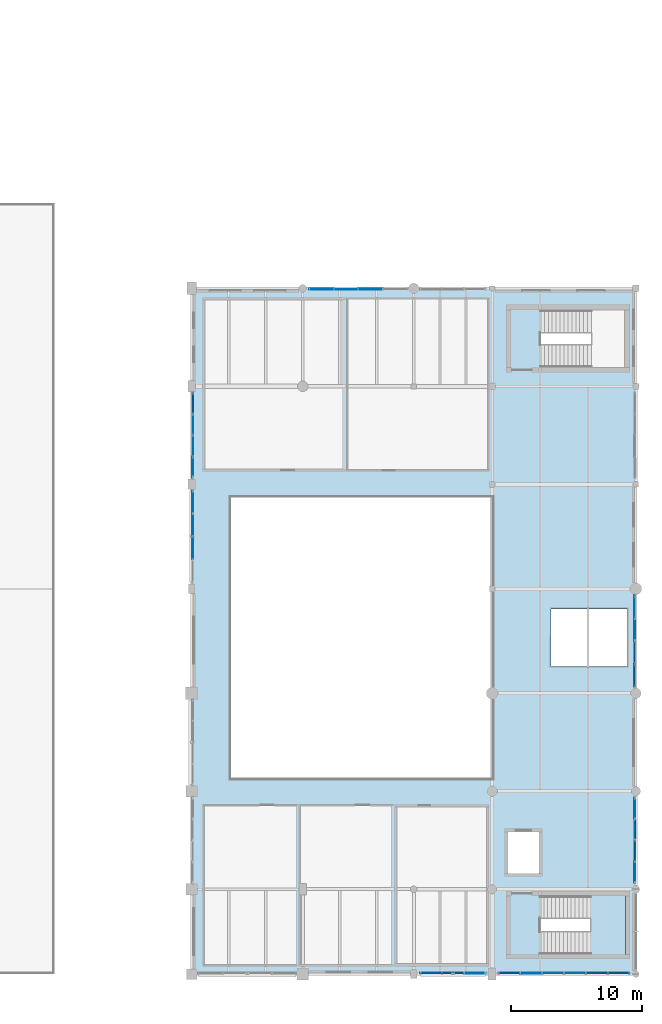
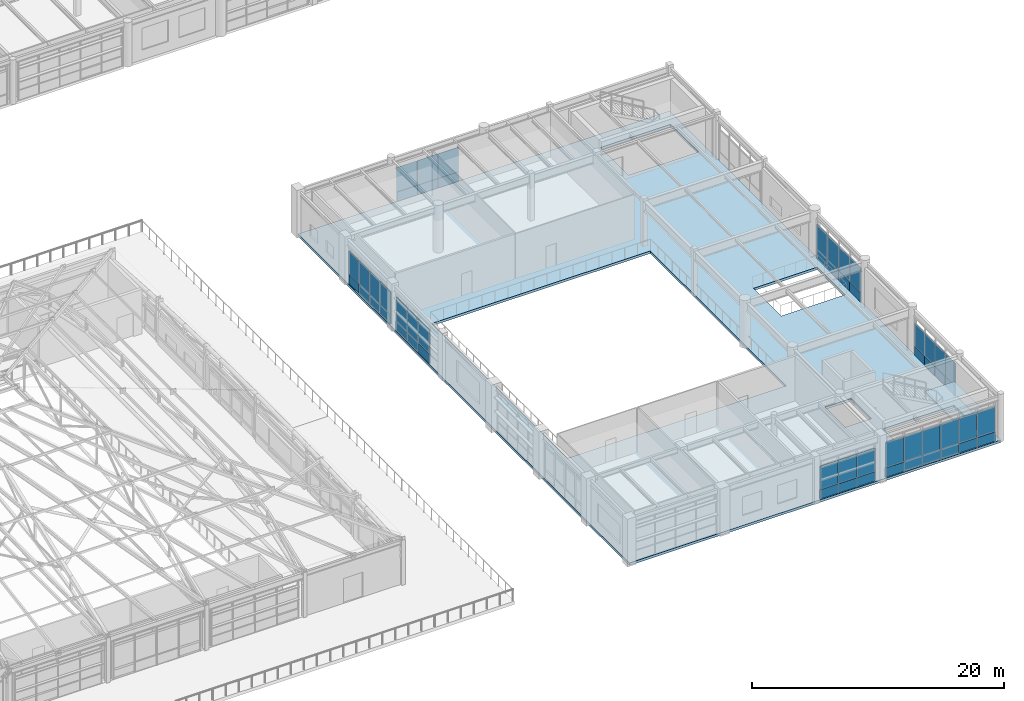
# One storey, part 137 of 168: 54 plates, 2 slabs, 8 elements without a shape of their own.
"""IFC4 building model written with IfcOpenShell, lengths in metres."""

from ifc_helpers import new_model, si_unit, direction, frame, origin, origin_2d, place, context, subcontext, project, spatial, polyline, rectangle, outline, extrude, material, layer, layer_set, type_object, element, aggregate, save


model = new_model("IFC4")

# Units and contexts
model_context = context("Model", 3, precision=1e-05, world=origin(), true_north=direction((0.0, 1.0)))
body_context = subcontext(model_context, "Body", "Model", "MODEL_VIEW")
ifc_project = project(units=[si_unit("LENGTHUNIT", "METRE"), si_unit("AREAUNIT", "SQUARE_METRE"), si_unit("VOLUMEUNIT", "CUBIC_METRE"), si_unit("PLANEANGLEUNIT", "RADIAN"), si_unit("MASSUNIT", "GRAM", prefix="KILO"), si_unit("THERMODYNAMICTEMPERATUREUNIT", "KELVIN"), si_unit("POWERUNIT", "WATT")], contexts=[model_context])

# Site, building, storey
site_placement = place(None, origin())
site = spatial("IfcSite", under=ifc_project, at=site_placement, CompositionType="ELEMENT")
building_placement = place(site_placement, origin())
building = spatial("IfcBuilding", under=site, at=building_placement, Name="Tepalcoro Natatorium and Aquatics Centre", CompositionType="ELEMENT")
storey_placement = place(building_placement, frame((0.0, 0.0, 10.199951171875)))
storey = spatial("IfcBuildingStorey", under=building, at=storey_placement, Name="L02", CompositionType="ELEMENT", Elevation=10.199951171875)

# Curtain wall, plate
ifc_material_1 = material(Name="Bronze-Anodised Extruded Aluminium Alloy EN AW-6063 T6", Category="aluminium")
curtain_wall_type_1 = type_object("IfcCurtainWallType", Name="CW_V4_VILLAGE", PredefinedType="USERDEFINED", material=ifc_material_1)
curtain_wall_1_placement = place(storey_placement, origin())
curtain_wall_1 = element("IfcCurtainWall", 1, at=curtain_wall_1_placement, inside=storey, type_object=curtain_wall_type_1, Name="V2 L02 S Unitised Curtain Wall Bay 3", ObjectType="UNITISED STOREFRONT", PredefinedType="USERDEFINED")
ifc_material_2 = material(Name="Solar-Control Bronze Tempered Low-E Double Glazing", Category="glass")
ifc_layer_1 = layer(ifc_material_2, 0.048095703125)
ifc_layer_set_1 = layer_set([ifc_layer_1], Name="Solar-Control Bronze Tempered Low-E Double Glazing")
plate_type_1 = type_object("IfcPlateType", Name="PL_ACOUSTIC_IGU_48", PredefinedType="CURTAIN_PANEL", material=ifc_layer_set_1)
plate_1_placement = place(storey_placement, frame((162.0, 6.576171875, 0.944580078125), z_axis=(0.0, 0.0, 1.0), x_axis=(1.0, 0.0, 0.0)))
plate_1 = element("IfcPlate", 2, at=plate_1_placement, type_object=plate_type_1, Name="CW_V4_VILLAGE Insulated Glazing Unit", PredefinedType="CURTAIN_PANEL", context=body_context, shape_type="SweptSolid", body=[
    extrude(rectangle(XDim=1.659912109375, YDim=0.048095703125, at=origin_2d()), origin(), (0.0, 0.0, 1.0), 2.2333984375),
])

# Curtain wall, plates
curtain_wall_type_2 = type_object("IfcCurtainWallType", Name="CW_V5_LOWER", PredefinedType="USERDEFINED", material=ifc_material_1)
curtain_wall_2_placement = place(storey_placement, origin())
curtain_wall_2 = element("IfcCurtainWall", 3, at=curtain_wall_2_placement, inside=storey, type_object=curtain_wall_type_2, Name="V2 L02 S Unitised Curtain Wall Bay 4", ObjectType="UNITISED STOREFRONT", PredefinedType="USERDEFINED")
plate_2_placement = place(storey_placement, frame((166.316650390625, 6.580078125, 0.9599609375), z_axis=(0.0, 0.0, 1.0), x_axis=(1.0, 0.0, 0.0)))
plate_2 = element("IfcPlate", 4, at=plate_2_placement, type_object=plate_type_1, Name="CW_V5_LOWER Insulated Glazing Unit", PredefinedType="CURTAIN_PANEL", context=body_context, shape_type="SweptSolid", body=[
    extrude(rectangle(XDim=1.6533203125, YDim=0.048095703125, at=origin_2d()), origin(), (0.0, 0.0, 1.0), 2.4169921875),
])
plate_3_placement = place(storey_placement, frame((171.336669921875, 6.580078125, 0.9599609375), z_axis=(0.0, 0.0, 1.0), x_axis=(1.0, 0.0, 0.0)))
plate_3 = element("IfcPlate", 5, at=plate_3_placement, type_object=plate_type_1, Name="CW_V5_LOWER Insulated Glazing Unit", PredefinedType="CURTAIN_PANEL", context=body_context, shape_type="SweptSolid", body=[
    extrude(rectangle(XDim=1.6533203125, YDim=0.048095703125, at=origin_2d()), origin(), (0.0, 0.0, 1.0), 2.4169921875),
])

# Curtain wall, plate
curtain_wall_type_3 = type_object("IfcCurtainWallType", Name="CW_LEAN_T1_EW", PredefinedType="USERDEFINED", material=ifc_material_1)
curtain_wall_3_placement = place(storey_placement, origin())
curtain_wall_3 = element("IfcCurtainWall", 6, at=curtain_wall_3_placement, inside=storey, type_object=curtain_wall_type_3, Name="V2 L02 N Unitised Curtain Wall Bay 2", ObjectType="FACETED SOLAR GLAZING", PredefinedType="USERDEFINED")
plate_4_placement = place(storey_placement, frame((155.6923828125, 58.9287109375, 0.9599609375), z_axis=(0.0, 0.0, 1.0), x_axis=(1.0, 0.0, 0.0)))
plate_4 = element("IfcPlate", 7, at=plate_4_placement, type_object=plate_type_1, Name="CW_LEAN_T1_EW Insulated Glazing Unit", PredefinedType="CURTAIN_PANEL", context=body_context, shape_type="SweptSolid", body=[
    extrude(rectangle(XDim=1.864990234375, YDim=0.048095703125, at=origin_2d()), origin(), (0.0, 0.0, 1.0), 2.3701171875),
])

curtain_wall_type_4 = type_object("IfcCurtainWallType", Name="CW_LEAN_T2_EW", PredefinedType="USERDEFINED", material=ifc_material_1)
curtain_wall_4_placement = place(storey_placement, origin())
curtain_wall_4 = element("IfcCurtainWall", 8, at=curtain_wall_4_placement, inside=storey, type_object=curtain_wall_type_4, Name="V2 L02 W Unitised Curtain Wall Bay 5", ObjectType="FACETED SOLAR GLAZING", PredefinedType="USERDEFINED")
plate_5_placement = place(storey_placement, frame((142.0712890625, 39.1201171875, 0.9599609375), z_axis=(0.0, 0.0, 1.0), x_axis=(1.0, 0.0, 0.0)))
plate_5 = element("IfcPlate", 9, at=plate_5_placement, type_object=plate_type_1, Name="CW_LEAN_T2_EW Insulated Glazing Unit", PredefinedType="CURTAIN_PANEL", context=body_context, shape_type="SweptSolid", body=[
    extrude(rectangle(XDim=0.048095703125, YDim=1.739990234375, at=origin_2d()), origin(), (0.0, 0.0, 1.0), 2.2939453125),
])

# Curtain wall, plates
curtain_wall_type_5 = type_object("IfcCurtainWallType", Name="CW_V1_PLINTH", PredefinedType="USERDEFINED", material=ifc_material_1)
curtain_wall_5_placement = place(storey_placement, origin())
curtain_wall_5 = element("IfcCurtainWall", 10, at=curtain_wall_5_placement, inside=storey, type_object=curtain_wall_type_5, Name="V2 L02 W Unitised Curtain Wall Bay 6", ObjectType="UNITISED STOREFRONT", PredefinedType="USERDEFINED")
plate_6_placement = place(storey_placement, frame((142.090087890625, 45.297607421875, 0.944580078125), z_axis=(0.0, 0.0, 1.0), x_axis=(1.0, 0.0, 0.0)))
plate_6 = element("IfcPlate", 11, at=plate_6_placement, type_object=plate_type_1, Name="CW_V1_PLINTH Insulated Glazing Unit", PredefinedType="CURTAIN_PANEL", context=body_context, shape_type="SweptSolid", body=[
    extrude(rectangle(XDim=0.048095703125, YDim=1.614990234375, at=origin_2d()), origin(), (0.0, 0.0, 1.0), 2.2333984375),
])
plate_7_placement = place(storey_placement, frame((142.090087890625, 50.202392578125, 0.944580078125), z_axis=(0.0, 0.0, 1.0), x_axis=(1.0, 0.0, 0.0)))
plate_7 = element("IfcPlate", 12, at=plate_7_placement, type_object=plate_type_1, Name="CW_V1_PLINTH Insulated Glazing Unit", PredefinedType="CURTAIN_PANEL", context=body_context, shape_type="SweptSolid", body=[
    extrude(rectangle(XDim=0.048095703125, YDim=1.614990234375, at=origin_2d()), origin(), (0.0, 0.0, 1.0), 2.2333984375),
])

# Curtain wall, plate
curtain_wall_type_6 = type_object("IfcCurtainWallType", Name="CW_LEAN_T2_NS", PredefinedType="USERDEFINED", material=ifc_material_1)
curtain_wall_6_placement = place(storey_placement, origin())
curtain_wall_6 = element("IfcCurtainWall", 13, at=curtain_wall_6_placement, inside=storey, type_object=curtain_wall_type_6, Name="V2 L02 E Unitised Curtain Wall Bay 2", ObjectType="FACETED SOLAR GLAZING", PredefinedType="USERDEFINED")
plate_8_placement = place(storey_placement, frame((175.923828125, 15.9326171875, 0.944580078125), z_axis=(0.0, 0.0, 1.0), x_axis=(1.0, 0.0, 0.0)))
plate_8 = element("IfcPlate", 14, at=plate_8_placement, type_object=plate_type_1, Name="CW_LEAN_T2_NS Insulated Glazing Unit", PredefinedType="CURTAIN_PANEL", context=body_context, shape_type="SweptSolid", body=[
    extrude(rectangle(XDim=0.048095703125, YDim=1.614990234375, at=origin_2d()), origin(), (0.0, 0.0, 1.0), 2.2333984375),
])

# Curtain wall, plates
curtain_wall_7_placement = place(storey_placement, origin())
curtain_wall_7 = element("IfcCurtainWall", 15, at=curtain_wall_7_placement, inside=storey, type_object=curtain_wall_type_5, Name="V2 L02 E Unitised Curtain Wall Bay 4", ObjectType="UNITISED STOREFRONT", PredefinedType="USERDEFINED")
plate_9_placement = place(storey_placement, frame((175.909912109375, 29.360107421875, 0.9599609375), z_axis=(0.0, 0.0, 1.0), x_axis=(1.0, 0.0, 0.0)))
plate_9 = element("IfcPlate", 16, at=plate_9_placement, type_object=plate_type_1, Name="CW_V1_PLINTH Insulated Glazing Unit", PredefinedType="CURTAIN_PANEL", context=body_context, shape_type="SweptSolid", body=[
    extrude(rectangle(XDim=0.048095703125, YDim=1.739990234375, at=origin_2d()), origin(), (0.0, 0.0, 1.0), 2.3701171875),
])
plate_10_placement = place(storey_placement, frame((175.909912109375, 34.639892578125, 0.9599609375), z_axis=(0.0, 0.0, 1.0), x_axis=(1.0, 0.0, 0.0)))
plate_10 = element("IfcPlate", 17, at=plate_10_placement, type_object=plate_type_1, Name="CW_V1_PLINTH Insulated Glazing Unit", PredefinedType="CURTAIN_PANEL", context=body_context, shape_type="SweptSolid", body=[
    extrude(rectangle(XDim=0.048095703125, YDim=1.739990234375, at=origin_2d()), origin(), (0.0, 0.0, 1.0), 2.3701171875),
])

# Plate
ifc_layer_2 = layer(ifc_material_2, 0.028076171875)
ifc_layer_set_2 = layer_set([ifc_layer_2], Name="Solar-Control Bronze Tempered Low-E Double Glazing")
plate_type_2 = type_object("IfcPlateType", Name="PL_BRONZE_IGU_28", PredefinedType="CURTAIN_PANEL", material=ifc_layer_set_2)
plate_11_placement = place(storey_placement, frame((160.320068359375, 6.576171875, 0.944580078125), z_axis=(0.0, 0.0, 1.0), x_axis=(1.0, 0.0, 0.0)))
plate_11 = element("IfcPlate", 18, at=plate_11_placement, type_object=plate_type_2, Name="CW_V4_VILLAGE Insulated Glazing Unit", PredefinedType="CURTAIN_PANEL", context=body_context, shape_type="SweptSolid", body=[
    extrude(rectangle(XDim=1.659912109375, YDim=0.028076171875, at=origin_2d()), origin(), (0.0, 0.0, 1.0), 2.2333984375),
])

plate_12_placement = place(storey_placement, frame((169.663330078125, 6.580078125, 0.9599609375), z_axis=(0.0, 0.0, 1.0), x_axis=(1.0, 0.0, 0.0)))
plate_12 = element("IfcPlate", 19, at=plate_12_placement, type_object=plate_type_2, Name="CW_V5_LOWER Insulated Glazing Unit", PredefinedType="CURTAIN_PANEL", context=body_context, shape_type="SweptSolid", body=[
    extrude(rectangle(XDim=1.6533203125, YDim=0.028076171875, at=origin_2d()), origin(), (0.0, 0.0, 1.0), 2.4169921875),
])

plate_13_placement = place(storey_placement, frame((174.683349609375, 6.580078125, 0.9599609375), z_axis=(0.0, 0.0, 1.0), x_axis=(1.0, 0.0, 0.0)))
plate_13 = element("IfcPlate", 20, at=plate_13_placement, type_object=plate_type_2, Name="CW_V5_LOWER Insulated Glazing Unit", PredefinedType="CURTAIN_PANEL", context=body_context, shape_type="SweptSolid", body=[
    extrude(rectangle(XDim=1.6533203125, YDim=0.028076171875, at=origin_2d()), origin(), (0.0, 0.0, 1.0), 2.4169921875),
])

plate_14_placement = place(storey_placement, frame((153.8076171875, 58.9287109375, 0.9599609375), z_axis=(0.0, 0.0, 1.0), x_axis=(1.0, 0.0, 0.0)))
plate_14 = element("IfcPlate", 21, at=plate_14_placement, type_object=plate_type_2, Name="CW_LEAN_T1_EW Insulated Glazing Unit", PredefinedType="CURTAIN_PANEL", context=body_context, shape_type="SweptSolid", body=[
    extrude(rectangle(XDim=1.864990234375, YDim=0.028076171875, at=origin_2d()), origin(), (0.0, 0.0, 1.0), 2.3701171875),
])

plate_15_placement = place(storey_placement, frame((142.0712890625, 42.639892578125, 0.9599609375), z_axis=(0.0, 0.0, 1.0), x_axis=(1.0, 0.0, 0.0)))
plate_15 = element("IfcPlate", 22, at=plate_15_placement, type_object=plate_type_2, Name="CW_LEAN_T2_EW Insulated Glazing Unit", PredefinedType="CURTAIN_PANEL", context=body_context, shape_type="SweptSolid", body=[
    extrude(rectangle(XDim=0.028076171875, YDim=1.739990234375, at=origin_2d()), origin(), (0.0, 0.0, 1.0), 2.2939453125),
])

plate_16_placement = place(storey_placement, frame((142.090087890625, 48.5673828125, 0.944580078125), z_axis=(0.0, 0.0, 1.0), x_axis=(1.0, 0.0, 0.0)))
plate_16 = element("IfcPlate", 23, at=plate_16_placement, type_object=plate_type_2, Name="CW_V1_PLINTH Insulated Glazing Unit", PredefinedType="CURTAIN_PANEL", context=body_context, shape_type="SweptSolid", body=[
    extrude(rectangle(XDim=0.028076171875, YDim=1.614990234375, at=origin_2d()), origin(), (0.0, 0.0, 1.0), 2.2333984375),
])

plate_17_placement = place(storey_placement, frame((175.923828125, 14.297607421875, 0.944580078125), z_axis=(0.0, 0.0, 1.0), x_axis=(1.0, 0.0, 0.0)))
plate_17 = element("IfcPlate", 24, at=plate_17_placement, type_object=plate_type_2, Name="CW_LEAN_T2_NS Insulated Glazing Unit", PredefinedType="CURTAIN_PANEL", context=body_context, shape_type="SweptSolid", body=[
    extrude(rectangle(XDim=0.028076171875, YDim=1.614990234375, at=origin_2d()), origin(), (0.0, 0.0, 1.0), 2.2333984375),
])

plate_18_placement = place(storey_placement, frame((175.923828125, 19.202392578125, 0.944580078125), z_axis=(0.0, 0.0, 1.0), x_axis=(1.0, 0.0, 0.0)))
plate_18 = element("IfcPlate", 25, at=plate_18_placement, type_object=plate_type_2, Name="CW_LEAN_T2_NS Insulated Glazing Unit", PredefinedType="CURTAIN_PANEL", context=body_context, shape_type="SweptSolid", body=[
    extrude(rectangle(XDim=0.028076171875, YDim=1.614990234375, at=origin_2d()), origin(), (0.0, 0.0, 1.0), 2.2333984375),
])

plate_19_placement = place(storey_placement, frame((175.909912109375, 32.8798828125, 0.9599609375), z_axis=(0.0, 0.0, 1.0), x_axis=(1.0, 0.0, 0.0)))
plate_19 = element("IfcPlate", 26, at=plate_19_placement, type_object=plate_type_2, Name="CW_V1_PLINTH Insulated Glazing Unit", PredefinedType="CURTAIN_PANEL", context=body_context, shape_type="SweptSolid", body=[
    extrude(rectangle(XDim=0.028076171875, YDim=1.739990234375, at=origin_2d()), origin(), (0.0, 0.0, 1.0), 2.3701171875),
])

ifc_material_3 = material(Name="Jalisco Cantera Rosa Volcanic Tuff Ashlar Masonry", Category="masonry")
ifc_layer_3 = layer(ifc_material_3, 0.090087890625)
ifc_layer_set_3 = layer_set([ifc_layer_3], Name="Jalisco Cantera Rosa Volcanic Tuff Ashlar Masonry")
plate_type_3 = type_object("IfcPlateType", Name="PL_CANTERA_90", PredefinedType="SHEET", material=ifc_layer_set_3)
plate_20_placement = place(storey_placement, frame((160.320068359375, 6.576171875, 0.044921875), z_axis=(0.0, 0.0, 1.0), x_axis=(1.0, 0.0, 0.0)))
plate_20 = element("IfcPlate", 27, at=plate_20_placement, type_object=plate_type_3, Name="CW_V4_VILLAGE Spandrel & Screen Panel", PredefinedType="SHEET", context=body_context, shape_type="SweptSolid", body=[
    extrude(rectangle(XDim=1.659912109375, YDim=0.090087890625, at=origin_2d()), origin(), (0.0, 0.0, 1.0), 0.89453125),
])

plate_21_placement = place(storey_placement, frame((173.010009765625, 6.580078125, 0.044921875), z_axis=(0.0, 0.0, 1.0), x_axis=(1.0, 0.0, 0.0)))
plate_21 = element("IfcPlate", 28, at=plate_21_placement, type_object=plate_type_3, Name="CW_V5_LOWER Spandrel & Screen Panel", PredefinedType="SHEET", context=body_context, shape_type="SweptSolid", body=[
    extrude(rectangle(XDim=1.6533203125, YDim=0.090087890625, at=origin_2d()), origin(), (0.0, 0.0, 1.0), 0.909912109375),
])

plate_22_placement = place(storey_placement, frame((142.090087890625, 50.202392578125, 0.044921875), z_axis=(0.0, 0.0, 1.0), x_axis=(1.0, 0.0, 0.0)))
plate_22 = element("IfcPlate", 29, at=plate_22_placement, type_object=plate_type_3, Name="CW_V1_PLINTH Spandrel & Screen Panel", PredefinedType="SHEET", context=body_context, shape_type="SweptSolid", body=[
    extrude(rectangle(XDim=0.090087890625, YDim=1.614990234375, at=origin_2d()), origin(), (0.0, 0.0, 1.0), 0.89453125),
])

plate_23_placement = place(storey_placement, frame((175.923828125, 15.9326171875, 0.044921875), z_axis=(0.0, 0.0, 1.0), x_axis=(1.0, 0.0, 0.0)))
plate_23 = element("IfcPlate", 30, at=plate_23_placement, type_object=plate_type_3, Name="CW_LEAN_T2_NS Spandrel & Screen Panel", PredefinedType="SHEET", context=body_context, shape_type="SweptSolid", body=[
    extrude(rectangle(XDim=0.090087890625, YDim=1.614990234375, at=origin_2d()), origin(), (0.0, 0.0, 1.0), 0.89453125),
])

plate_24_placement = place(storey_placement, frame((175.909912109375, 29.360107421875, 0.044921875), z_axis=(0.0, 0.0, 1.0), x_axis=(1.0, 0.0, 0.0)))
plate_24 = element("IfcPlate", 31, at=plate_24_placement, type_object=plate_type_3, Name="CW_V1_PLINTH Spandrel & Screen Panel", PredefinedType="SHEET", context=body_context, shape_type="SweptSolid", body=[
    extrude(rectangle(XDim=0.090087890625, YDim=1.739990234375, at=origin_2d()), origin(), (0.0, 0.0, 1.0), 0.909912109375),
])

ifc_material_4 = material(Name="Clear Tempered Low-E Safety Glazing", Category="glass")
ifc_layer_4 = layer(ifc_material_4, 0.011962890625)
ifc_layer_set_4 = layer_set([ifc_layer_4], Name="Clear Tempered Low-E Safety Glazing")
plate_type_4 = type_object("IfcPlateType", Name="PL_GLASS_12", PredefinedType="CURTAIN_PANEL", material=ifc_layer_set_4)
plate_25_placement = place(storey_placement, frame((163.679931640625, 6.576171875, 0.944580078125), z_axis=(0.0, 0.0, 1.0), x_axis=(1.0, 0.0, 0.0)))
plate_25 = element("IfcPlate", 32, at=plate_25_placement, type_object=plate_type_4, Name="CW_V4_VILLAGE Insulated Glazing Unit", PredefinedType="CURTAIN_PANEL", context=body_context, shape_type="SweptSolid", body=[
    extrude(rectangle(XDim=1.659912109375, YDim=0.011962890625, at=origin_2d()), origin(), (0.0, 0.0, 1.0), 2.2333984375),
])

plate_26_placement = place(storey_placement, frame((167.989990234375, 6.580078125, 0.9599609375), z_axis=(0.0, 0.0, 1.0), x_axis=(1.0, 0.0, 0.0)))
plate_26 = element("IfcPlate", 33, at=plate_26_placement, type_object=plate_type_4, Name="CW_V5_LOWER Insulated Glazing Unit", PredefinedType="CURTAIN_PANEL", context=body_context, shape_type="SweptSolid", body=[
    extrude(rectangle(XDim=1.6533203125, YDim=0.011962890625, at=origin_2d()), origin(), (0.0, 0.0, 1.0), 2.4169921875),
])

plate_27_placement = place(storey_placement, frame((173.010009765625, 6.580078125, 0.9599609375), z_axis=(0.0, 0.0, 1.0), x_axis=(1.0, 0.0, 0.0)))
plate_27 = element("IfcPlate", 34, at=plate_27_placement, type_object=plate_type_4, Name="CW_V5_LOWER Insulated Glazing Unit", PredefinedType="CURTAIN_PANEL", context=body_context, shape_type="SweptSolid", body=[
    extrude(rectangle(XDim=1.6533203125, YDim=0.011962890625, at=origin_2d()), origin(), (0.0, 0.0, 1.0), 2.4169921875),
])

plate_28_placement = place(storey_placement, frame((151.922607421875, 58.9287109375, 0.9599609375), z_axis=(0.0, 0.0, 1.0), x_axis=(1.0, 0.0, 0.0)))
plate_28 = element("IfcPlate", 35, at=plate_28_placement, type_object=plate_type_4, Name="CW_LEAN_T1_EW Insulated Glazing Unit", PredefinedType="CURTAIN_PANEL", context=body_context, shape_type="SweptSolid", body=[
    extrude(rectangle(XDim=1.864990234375, YDim=0.011962890625, at=origin_2d()), origin(), (0.0, 0.0, 1.0), 2.3701171875),
])

plate_29_placement = place(storey_placement, frame((142.0712890625, 40.8798828125, 0.9599609375), z_axis=(0.0, 0.0, 1.0), x_axis=(1.0, 0.0, 0.0)))
plate_29 = element("IfcPlate", 36, at=plate_29_placement, type_object=plate_type_4, Name="CW_LEAN_T2_EW Insulated Glazing Unit", PredefinedType="CURTAIN_PANEL", context=body_context, shape_type="SweptSolid", body=[
    extrude(rectangle(XDim=0.011962890625, YDim=1.739990234375, at=origin_2d()), origin(), (0.0, 0.0, 1.0), 2.2939453125),
])

plate_30_placement = place(storey_placement, frame((142.090087890625, 46.9326171875, 0.944580078125), z_axis=(0.0, 0.0, 1.0), x_axis=(1.0, 0.0, 0.0)))
plate_30 = element("IfcPlate", 37, at=plate_30_placement, type_object=plate_type_4, Name="CW_V1_PLINTH Insulated Glazing Unit", PredefinedType="CURTAIN_PANEL", context=body_context, shape_type="SweptSolid", body=[
    extrude(rectangle(XDim=0.011962890625, YDim=1.614990234375, at=origin_2d()), origin(), (0.0, 0.0, 1.0), 2.2333984375),
])

plate_31_placement = place(storey_placement, frame((175.923828125, 17.5673828125, 0.944580078125), z_axis=(0.0, 0.0, 1.0), x_axis=(1.0, 0.0, 0.0)))
plate_31 = element("IfcPlate", 38, at=plate_31_placement, type_object=plate_type_4, Name="CW_LEAN_T2_NS Insulated Glazing Unit", PredefinedType="CURTAIN_PANEL", context=body_context, shape_type="SweptSolid", body=[
    extrude(rectangle(XDim=0.011962890625, YDim=1.614990234375, at=origin_2d()), origin(), (0.0, 0.0, 1.0), 2.2333984375),
])

plate_32_placement = place(storey_placement, frame((175.909912109375, 31.1201171875, 0.9599609375), z_axis=(0.0, 0.0, 1.0), x_axis=(1.0, 0.0, 0.0)))
plate_32 = element("IfcPlate", 39, at=plate_32_placement, type_object=plate_type_4, Name="CW_V1_PLINTH Insulated Glazing Unit", PredefinedType="CURTAIN_PANEL", context=body_context, shape_type="SweptSolid", body=[
    extrude(rectangle(XDim=0.011962890625, YDim=1.739990234375, at=origin_2d()), origin(), (0.0, 0.0, 1.0), 2.3701171875),
])

ifc_material_5 = material(Name="Volcanic Recinto Basalt Ashlar Masonry", Category="masonry")
ifc_layer_5 = layer(ifc_material_5, 0.110107421875)
ifc_layer_set_5 = layer_set([ifc_layer_5], Name="Volcanic Recinto Basalt Ashlar Masonry")
plate_type_5 = type_object("IfcPlateType", Name="PL_RECINTO_110", PredefinedType="SHEET", material=ifc_layer_set_5)
plate_33_placement = place(storey_placement, frame((162.0, 6.576171875, 0.044921875), z_axis=(0.0, 0.0, 1.0), x_axis=(1.0, 0.0, 0.0)))
plate_33 = element("IfcPlate", 40, at=plate_33_placement, type_object=plate_type_5, Name="CW_V4_VILLAGE Spandrel & Screen Panel", PredefinedType="SHEET", context=body_context, shape_type="SweptSolid", body=[
    extrude(rectangle(XDim=1.659912109375, YDim=0.110107421875, at=origin_2d()), origin(), (0.0, 0.0, 1.0), 0.89453125),
])

plate_34_placement = place(storey_placement, frame((166.316650390625, 6.580078125, 0.044921875), z_axis=(0.0, 0.0, 1.0), x_axis=(1.0, 0.0, 0.0)))
plate_34 = element("IfcPlate", 41, at=plate_34_placement, type_object=plate_type_5, Name="CW_V5_LOWER Spandrel & Screen Panel", PredefinedType="SHEET", context=body_context, shape_type="SweptSolid", body=[
    extrude(rectangle(XDim=1.6533203125, YDim=0.110107421875, at=origin_2d()), origin(), (0.0, 0.0, 1.0), 0.909912109375),
])

plate_35_placement = place(storey_placement, frame((174.683349609375, 6.580078125, 0.044921875), z_axis=(0.0, 0.0, 1.0), x_axis=(1.0, 0.0, 0.0)))
plate_35 = element("IfcPlate", 42, at=plate_35_placement, type_object=plate_type_5, Name="CW_V5_LOWER Spandrel & Screen Panel", PredefinedType="SHEET", context=body_context, shape_type="SweptSolid", body=[
    extrude(rectangle(XDim=1.6533203125, YDim=0.110107421875, at=origin_2d()), origin(), (0.0, 0.0, 1.0), 0.909912109375),
])

plate_36_placement = place(storey_placement, frame((175.923828125, 17.5673828125, 0.044921875), z_axis=(0.0, 0.0, 1.0), x_axis=(1.0, 0.0, 0.0)))
plate_36 = element("IfcPlate", 43, at=plate_36_placement, type_object=plate_type_5, Name="CW_LEAN_T2_NS Spandrel & Screen Panel", PredefinedType="SHEET", context=body_context, shape_type="SweptSolid", body=[
    extrude(rectangle(XDim=0.110107421875, YDim=1.614990234375, at=origin_2d()), origin(), (0.0, 0.0, 1.0), 0.89453125),
])

plate_37_placement = place(storey_placement, frame((175.909912109375, 31.1201171875, 0.044921875), z_axis=(0.0, 0.0, 1.0), x_axis=(1.0, 0.0, 0.0)))
plate_37 = element("IfcPlate", 44, at=plate_37_placement, type_object=plate_type_5, Name="CW_V1_PLINTH Spandrel & Screen Panel", PredefinedType="SHEET", context=body_context, shape_type="SweptSolid", body=[
    extrude(rectangle(XDim=0.110107421875, YDim=1.739990234375, at=origin_2d()), origin(), (0.0, 0.0, 1.0), 0.909912109375),
])

ifc_layer_6 = layer(ifc_material_1, 0.050048828125)
ifc_layer_set_6 = layer_set([ifc_layer_6], Name="Bronze-Anodised Extruded Aluminium Alloy EN AW-6063 T6")
plate_type_6 = type_object("IfcPlateType", Name="PL_SCREEN_50", PredefinedType="SHEET", material=ifc_layer_set_6)
plate_38_placement = place(storey_placement, frame((169.663330078125, 6.580078125, 0.044921875), z_axis=(0.0, 0.0, 1.0), x_axis=(1.0, 0.0, 0.0)))
plate_38 = element("IfcPlate", 45, at=plate_38_placement, type_object=plate_type_6, Name="CW_V5_LOWER Spandrel & Screen Panel", PredefinedType="SHEET", context=body_context, shape_type="SweptSolid", body=[
    extrude(rectangle(XDim=1.6533203125, YDim=0.050048828125, at=origin_2d()), origin(), (0.0, 0.0, 1.0), 0.909912109375),
])

plate_39_placement = place(storey_placement, frame((153.8076171875, 58.9287109375, 0.044921875), z_axis=(0.0, 0.0, 1.0), x_axis=(1.0, 0.0, 0.0)))
plate_39 = element("IfcPlate", 46, at=plate_39_placement, type_object=plate_type_6, Name="CW_LEAN_T1_EW Spandrel & Screen Panel", PredefinedType="SHEET", context=body_context, shape_type="SweptSolid", body=[
    extrude(rectangle(XDim=1.864990234375, YDim=0.050048828125, at=origin_2d()), origin(), (0.0, 0.0, 1.0), 0.909912109375),
])

plate_40_placement = place(storey_placement, frame((142.0712890625, 40.8798828125, 0.044921875), z_axis=(0.0, 0.0, 1.0), x_axis=(1.0, 0.0, 0.0)))
plate_40 = element("IfcPlate", 47, at=plate_40_placement, type_object=plate_type_6, Name="CW_LEAN_T2_EW Spandrel & Screen Panel", PredefinedType="SHEET", context=body_context, shape_type="SweptSolid", body=[
    extrude(rectangle(XDim=0.050048828125, YDim=1.739990234375, at=origin_2d()), origin(), (0.0, 0.0, 1.0), 0.909912109375),
])

plate_41_placement = place(storey_placement, frame((142.090087890625, 46.9326171875, 0.044921875), z_axis=(0.0, 0.0, 1.0), x_axis=(1.0, 0.0, 0.0)))
plate_41 = element("IfcPlate", 48, at=plate_41_placement, type_object=plate_type_6, Name="CW_V1_PLINTH Spandrel & Screen Panel", PredefinedType="SHEET", context=body_context, shape_type="SweptSolid", body=[
    extrude(rectangle(XDim=0.050048828125, YDim=1.614990234375, at=origin_2d()), origin(), (0.0, 0.0, 1.0), 0.89453125),
])

plate_42_placement = place(storey_placement, frame((175.909912109375, 34.639892578125, 0.044921875), z_axis=(0.0, 0.0, 1.0), x_axis=(1.0, 0.0, 0.0)))
plate_42 = element("IfcPlate", 49, at=plate_42_placement, type_object=plate_type_6, Name="CW_V1_PLINTH Spandrel & Screen Panel", PredefinedType="SHEET", context=body_context, shape_type="SweptSolid", body=[
    extrude(rectangle(XDim=0.050048828125, YDim=1.739990234375, at=origin_2d()), origin(), (0.0, 0.0, 1.0), 0.909912109375),
])

ifc_layer_7 = layer(ifc_material_1, 0.06005859375)
ifc_layer_set_7 = layer_set([ifc_layer_7], Name="Bronze-Anodised Extruded Aluminium Alloy EN AW-6063 T6")
plate_type_7 = type_object("IfcPlateType", Name="PL_SCREEN_60", PredefinedType="SHEET", material=ifc_layer_set_7)
plate_43_placement = place(storey_placement, frame((171.336669921875, 6.580078125, 0.044921875), z_axis=(0.0, 0.0, 1.0), x_axis=(1.0, 0.0, 0.0)))
plate_43 = element("IfcPlate", 50, at=plate_43_placement, type_object=plate_type_7, Name="CW_V5_LOWER Spandrel & Screen Panel", PredefinedType="SHEET", context=body_context, shape_type="SweptSolid", body=[
    extrude(rectangle(XDim=1.6533203125, YDim=0.06005859375, at=origin_2d()), origin(), (0.0, 0.0, 1.0), 0.909912109375),
])

plate_44_placement = place(storey_placement, frame((155.6923828125, 58.9287109375, 0.044921875), z_axis=(0.0, 0.0, 1.0), x_axis=(1.0, 0.0, 0.0)))
plate_44 = element("IfcPlate", 51, at=plate_44_placement, type_object=plate_type_7, Name="CW_LEAN_T1_EW Spandrel & Screen Panel", PredefinedType="SHEET", context=body_context, shape_type="SweptSolid", body=[
    extrude(rectangle(XDim=1.864990234375, YDim=0.06005859375, at=origin_2d()), origin(), (0.0, 0.0, 1.0), 0.909912109375),
])

plate_45_placement = place(storey_placement, frame((142.0712890625, 42.639892578125, 0.044921875), z_axis=(0.0, 0.0, 1.0), x_axis=(1.0, 0.0, 0.0)))
plate_45 = element("IfcPlate", 52, at=plate_45_placement, type_object=plate_type_7, Name="CW_LEAN_T2_EW Spandrel & Screen Panel", PredefinedType="SHEET", context=body_context, shape_type="SweptSolid", body=[
    extrude(rectangle(XDim=0.06005859375, YDim=1.739990234375, at=origin_2d()), origin(), (0.0, 0.0, 1.0), 0.909912109375),
])

plate_46_placement = place(storey_placement, frame((142.090087890625, 48.5673828125, 0.044921875), z_axis=(0.0, 0.0, 1.0), x_axis=(1.0, 0.0, 0.0)))
plate_46 = element("IfcPlate", 53, at=plate_46_placement, type_object=plate_type_7, Name="CW_V1_PLINTH Spandrel & Screen Panel", PredefinedType="SHEET", context=body_context, shape_type="SweptSolid", body=[
    extrude(rectangle(XDim=0.06005859375, YDim=1.614990234375, at=origin_2d()), origin(), (0.0, 0.0, 1.0), 0.89453125),
])

plate_47_placement = place(storey_placement, frame((175.923828125, 14.297607421875, 0.044921875), z_axis=(0.0, 0.0, 1.0), x_axis=(1.0, 0.0, 0.0)))
plate_47 = element("IfcPlate", 54, at=plate_47_placement, type_object=plate_type_7, Name="CW_LEAN_T2_NS Spandrel & Screen Panel", PredefinedType="SHEET", context=body_context, shape_type="SweptSolid", body=[
    extrude(rectangle(XDim=0.06005859375, YDim=1.614990234375, at=origin_2d()), origin(), (0.0, 0.0, 1.0), 0.89453125),
])

ifc_material_6 = material(Name="Insulated Bronze Anodised Aluminium Spandrel Panel", Category="aluminium")
ifc_layer_8 = layer(ifc_material_6, 0.070068359375)
ifc_layer_set_8 = layer_set([ifc_layer_8], Name="Insulated Bronze Anodised Aluminium Spandrel Panel")
plate_type_8 = type_object("IfcPlateType", Name="PL_SPANDREL_70", PredefinedType="CURTAIN_PANEL", material=ifc_layer_set_8)
plate_48_placement = place(storey_placement, frame((163.679931640625, 6.576171875, 0.044921875), z_axis=(0.0, 0.0, 1.0), x_axis=(1.0, 0.0, 0.0)))
plate_48 = element("IfcPlate", 55, at=plate_48_placement, type_object=plate_type_8, Name="CW_V4_VILLAGE Spandrel & Screen Panel", PredefinedType="CURTAIN_PANEL", context=body_context, shape_type="SweptSolid", body=[
    extrude(rectangle(XDim=1.659912109375, YDim=0.070068359375, at=origin_2d()), origin(), (0.0, 0.0, 1.0), 0.89453125),
])

aggregate(curtain_wall_1, [plate_11, plate_20, plate_1, plate_33, plate_25, plate_48])

plate_49_placement = place(storey_placement, frame((167.989990234375, 6.580078125, 0.044921875), z_axis=(0.0, 0.0, 1.0), x_axis=(1.0, 0.0, 0.0)))
plate_49 = element("IfcPlate", 56, at=plate_49_placement, type_object=plate_type_8, Name="CW_V5_LOWER Spandrel & Screen Panel", PredefinedType="CURTAIN_PANEL", context=body_context, shape_type="SweptSolid", body=[
    extrude(rectangle(XDim=1.6533203125, YDim=0.070068359375, at=origin_2d()), origin(), (0.0, 0.0, 1.0), 0.909912109375),
])

aggregate(curtain_wall_2, [plate_2, plate_34, plate_26, plate_49, plate_12, plate_38, plate_3, plate_43, plate_27, plate_21, plate_13, plate_35])

plate_50_placement = place(storey_placement, frame((151.922607421875, 58.9287109375, 0.044921875), z_axis=(0.0, 0.0, 1.0), x_axis=(1.0, 0.0, 0.0)))
plate_50 = element("IfcPlate", 57, at=plate_50_placement, type_object=plate_type_8, Name="CW_LEAN_T1_EW Spandrel & Screen Panel", PredefinedType="CURTAIN_PANEL", context=body_context, shape_type="SweptSolid", body=[
    extrude(rectangle(XDim=1.864990234375, YDim=0.070068359375, at=origin_2d()), origin(), (0.0, 0.0, 1.0), 0.909912109375),
])

aggregate(curtain_wall_3, [plate_28, plate_50, plate_14, plate_39, plate_4, plate_44])

plate_51_placement = place(storey_placement, frame((142.0712890625, 39.1201171875, 0.044921875), z_axis=(0.0, 0.0, 1.0), x_axis=(1.0, 0.0, 0.0)))
plate_51 = element("IfcPlate", 58, at=plate_51_placement, type_object=plate_type_8, Name="CW_LEAN_T2_EW Spandrel & Screen Panel", PredefinedType="CURTAIN_PANEL", context=body_context, shape_type="SweptSolid", body=[
    extrude(rectangle(XDim=0.070068359375, YDim=1.739990234375, at=origin_2d()), origin(), (0.0, 0.0, 1.0), 0.909912109375),
])

aggregate(curtain_wall_4, [plate_5, plate_51, plate_29, plate_40, plate_15, plate_45])

plate_52_placement = place(storey_placement, frame((142.090087890625, 45.297607421875, 0.044921875), z_axis=(0.0, 0.0, 1.0), x_axis=(1.0, 0.0, 0.0)))
plate_52 = element("IfcPlate", 59, at=plate_52_placement, type_object=plate_type_8, Name="CW_V1_PLINTH Spandrel & Screen Panel", PredefinedType="CURTAIN_PANEL", context=body_context, shape_type="SweptSolid", body=[
    extrude(rectangle(XDim=0.070068359375, YDim=1.614990234375, at=origin_2d()), origin(), (0.0, 0.0, 1.0), 0.89453125),
])

aggregate(curtain_wall_5, [plate_6, plate_52, plate_30, plate_41, plate_16, plate_46, plate_7, plate_22])

plate_53_placement = place(storey_placement, frame((175.923828125, 19.202392578125, 0.044921875), z_axis=(0.0, 0.0, 1.0), x_axis=(1.0, 0.0, 0.0)))
plate_53 = element("IfcPlate", 60, at=plate_53_placement, type_object=plate_type_8, Name="CW_LEAN_T2_NS Spandrel & Screen Panel", PredefinedType="CURTAIN_PANEL", context=body_context, shape_type="SweptSolid", body=[
    extrude(rectangle(XDim=0.070068359375, YDim=1.614990234375, at=origin_2d()), origin(), (0.0, 0.0, 1.0), 0.89453125),
])

aggregate(curtain_wall_6, [plate_17, plate_47, plate_8, plate_23, plate_31, plate_36, plate_18, plate_53])

plate_54_placement = place(storey_placement, frame((175.909912109375, 32.8798828125, 0.044921875), z_axis=(0.0, 0.0, 1.0), x_axis=(1.0, 0.0, 0.0)))
plate_54 = element("IfcPlate", 61, at=plate_54_placement, type_object=plate_type_8, Name="CW_V1_PLINTH Spandrel & Screen Panel", PredefinedType="CURTAIN_PANEL", context=body_context, shape_type="SweptSolid", body=[
    extrude(rectangle(XDim=0.070068359375, YDim=1.739990234375, at=origin_2d()), origin(), (0.0, 0.0, 1.0), 0.909912109375),
])

aggregate(curtain_wall_7, [plate_9, plate_24, plate_32, plate_37, plate_19, plate_54, plate_10, plate_42])

# Slab
ifc_material_7 = material(Name="Concrete C35/45 (fc 35 MPa)", Category="concrete")
ifc_layer_9 = layer(ifc_material_7, 0.239990234375)
ifc_layer_set_9 = layer_set([ifc_layer_9], Name="Concrete C35/45 (fc 35 MPa)")
slab_type_1 = type_object("IfcSlabType", Name="SL_FLOOR_240", PredefinedType="FLOOR", material=ifc_layer_set_9)
slab_1_placement = place(storey_placement, frame((0.0, 0.0, -0.239990234375)))
element("IfcSlab", 62, at=slab_1_placement, inside=storey, type_object=slab_type_1, Name="V2 L02 Natatorium and Civic Floor Slab MAIN", PredefinedType="FLOOR", context=body_context, shape_type="SweptSolid", body=[
    extrude(outline(polyline([(142.0, 6.5), (142.0, 59.0), (176.0, 59.0), (176.0, 6.5), (142.0, 6.5)]), holes=[polyline([(165.0, 21.5), (165.0, 43.0), (145.0, 43.0), (145.0, 21.5), (165.0, 21.5)]), polyline([(169.5, 30.050048828125), (175.35009765625, 30.050048828125), (175.35009765625, 34.449951171875), (169.5, 34.449951171875), (169.5, 30.050048828125)]), polyline([(168.679931640625, 12.5), (168.679931640625, 8.0), (175.199951171875, 8.0), (175.199951171875, 12.5), (168.679931640625, 12.5)]), polyline([(175.14990234375, 57.35009765625), (168.72998046875, 57.35009765625), (168.72998046875, 52.949951171875), (175.14990234375, 52.949951171875), (175.14990234375, 57.35009765625)]), polyline([(168.60009765625, 14.199951171875), (168.60009765625, 17.39990234375), (166.199951171875, 17.39990234375), (166.199951171875, 14.199951171875), (168.60009765625, 14.199951171875)])]), origin(), (0.0, 0.0, 1.0), 0.239990234375),
])

# Stair, slab
stair_type = type_object("IfcStairType", Name="ST_RC_1800_B1", PredefinedType="HALF_TURN_STAIR", material=ifc_material_7)
stair_placement = place(storey_placement, origin())
stair = element("IfcStair", 63, at=stair_placement, inside=storey, type_object=stair_type, Name="Diving Wing South Fire Stair (L02 to L03)", PredefinedType="HALF_TURN_STAIR")
ifc_layer_10 = layer(ifc_material_7, 0.199951171875)
ifc_layer_set_10 = layer_set([ifc_layer_10], Name="Concrete C35/45 (fc 35 MPa)")
slab_type_2 = type_object("IfcSlabType", Name="SL_LANDING_200", PredefinedType="LANDING", material=ifc_layer_set_10)
slab_2_placement = place(storey_placement, frame((0.0, 0.0, 2.10009765625)))
slab_2 = element("IfcSlab", 64, at=slab_2_placement, type_object=slab_type_2, Name="Diving Wing South Fire Stair (L02 to L03) Half-Landing", PredefinedType="LANDING", context=body_context, shape_type="SweptSolid", body=[
    extrude(outline(polyline([(172.510009765625, 7.97998046875), (175.219970703125, 7.97998046875), (175.219970703125, 12.52001953125), (172.510009765625, 12.52001953125), (172.510009765625, 7.97998046875)])), origin(), (0.0, 0.0, 1.0), 0.199951171875),
])
aggregate(stair, [slab_2])

save(model, "model.ifc")
